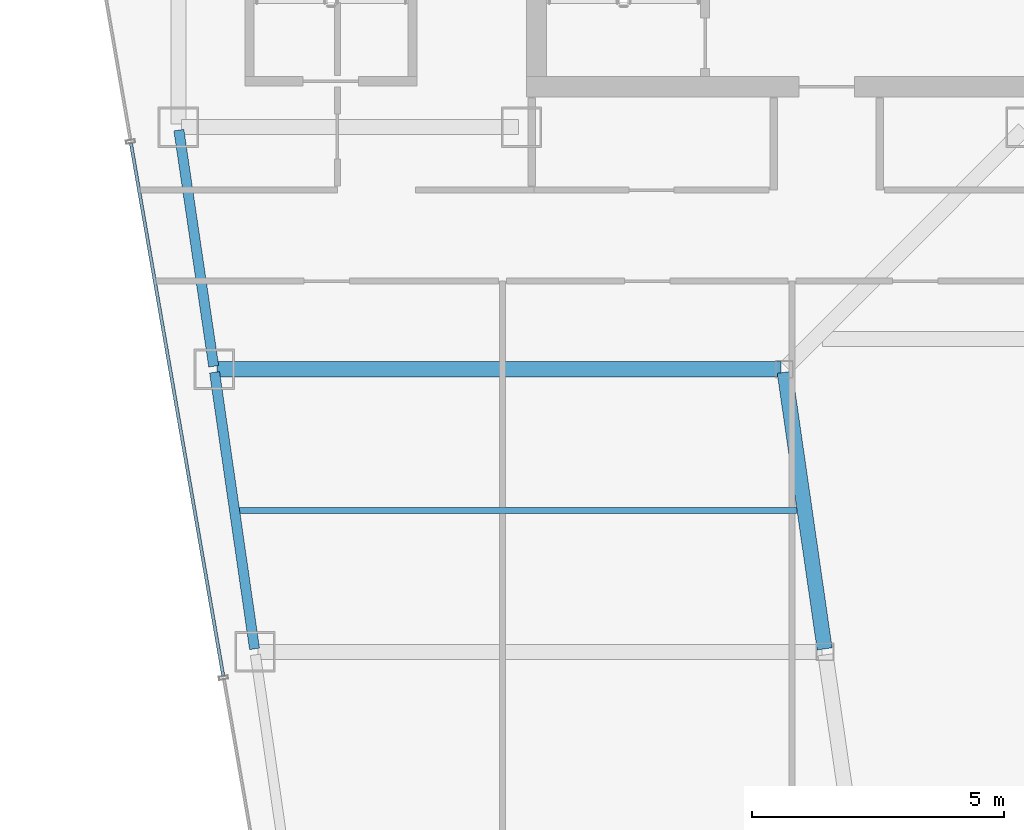
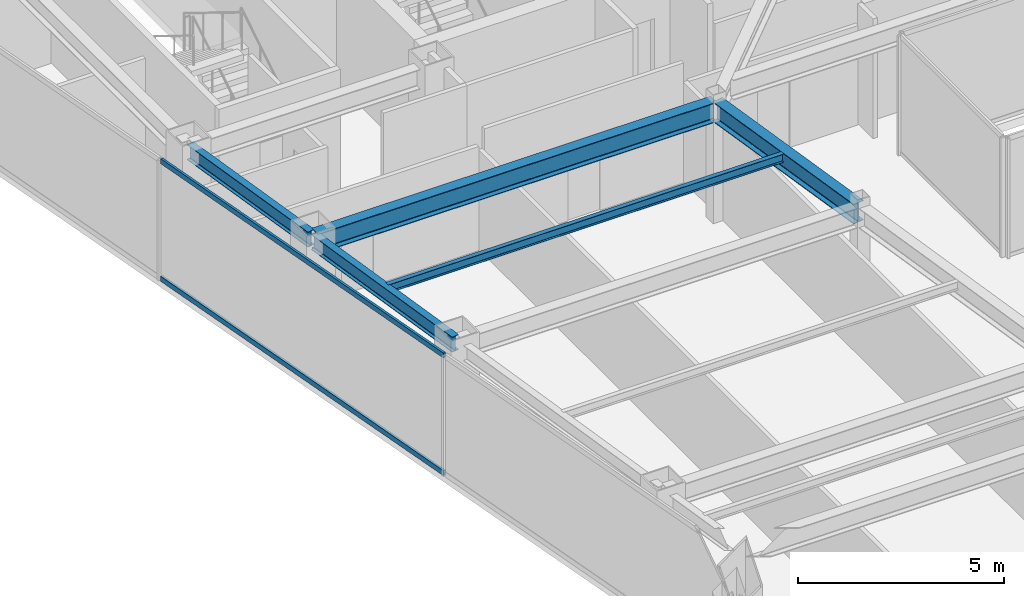
# One storey, part 7 of 32: 5 beams, 2 members, 1 element without a shape of its own.
"""IFC4 building model written with IfcOpenShell, lengths in metres."""

from ifc_helpers import new_model, si_unit, direction, frame, origin, origin_2d, place, context, subcontext, project, spatial, hollow_rectangle, i_section, extrude, material, material_profile, profile_set, type_object, element, aggregate, save


model = new_model("IFC4")

# Units and contexts
model_context = context("Model", 3, precision=1e-05, world=origin(), true_north=direction((0.0, 1.0)))
body_context = subcontext(model_context, "Body", "Model", "MODEL_VIEW")
ifc_project = project(units=[si_unit("LENGTHUNIT", "METRE"), si_unit("AREAUNIT", "SQUARE_METRE"), si_unit("VOLUMEUNIT", "CUBIC_METRE"), si_unit("PLANEANGLEUNIT", "RADIAN"), si_unit("MASSUNIT", "GRAM", prefix="KILO")], contexts=[model_context])

# Site, building, storey
site_placement = place(None, origin())
site = spatial("IfcSite", under=ifc_project, at=site_placement, CompositionType="ELEMENT")
building_placement = place(site_placement, origin())
building = spatial("IfcBuilding", under=site, at=building_placement, Name="Saevonmaru Cultural Tower", CompositionType="ELEMENT")
storey_placement = place(building_placement, frame((0.0, 0.0, 242.0)))
storey = spatial("IfcBuildingStorey", under=building, at=storey_placement, Name="L56", CompositionType="ELEMENT", Elevation=242.0)

# Beams
ifc_material_1 = material(Name="Steel SM355", Category="steel")
ifc_material_profile_1 = material_profile(ifc_material_1, i_section(OverallWidth=0.300048828125, OverallDepth=0.587890625, WebThickness=0.011962890625, FlangeThickness=0.02001953125, FilletRadius=0.02392578125, at=origin_2d()), Name="H-588x300x12x20")
ifc_profile_set_1 = profile_set([ifc_material_profile_1], Name="Steel SM355")
beam_type_1 = type_object("IfcBeamType", Name="BM-G-H588", PredefinedType="BEAM", material=ifc_profile_set_1)
beam_1_placement = place(storey_placement, frame((19.6083984375, 32.059326171875, 3.256103515625), z_axis=(-0.142964121327, 0.989727871697, 0.0), x_axis=(-0.989727871697, -0.142964121327, 0.0)))
element("IfcBeam", 1, at=beam_1_placement, inside=storey, type_object=beam_type_1, Name="L56 West Atrium Girder 3", PredefinedType="BEAM", context=body_context, shape_type="SweptSolid", body=[
    extrude(i_section(OverallWidth=0.300048828125, OverallDepth=0.587890625, WebThickness=0.011962890625, FlangeThickness=0.02001953125, FilletRadius=0.02392578125, at=origin_2d()), origin(), (0.0, 0.0, 1.0), 5.5380859375),
])
beam_2_placement = place(storey_placement, frame((7.568115234375, 37.60009765625, 3.256103515625), z_axis=(1.0, 0.0, 0.0), x_axis=(0.0, 1.0, 0.0)))
element("IfcBeam", 2, at=beam_2_placement, inside=storey, type_object=beam_type_1, Name="L56 West Wing Transverse Girder 4", PredefinedType="BEAM", context=body_context, shape_type="SweptSolid", body=[
    extrude(i_section(OverallWidth=0.300048828125, OverallDepth=0.587890625, WebThickness=0.011962890625, FlangeThickness=0.02001953125, FilletRadius=0.02392578125, at=origin_2d()), origin(), (0.0, 0.0, 1.0), 11.179931640625),
])
ifc_material_profile_2 = material_profile(ifc_material_1, i_section(OverallWidth=0.125, OverallDepth=0.25, WebThickness=0.006103515625, FlangeThickness=0.009033203125, FilletRadius=0.008056640625, at=origin_2d()), Name="H-250x125x6x9")
ifc_profile_set_2 = profile_set([ifc_material_profile_2], Name="Steel SM355")
beam_type_2 = type_object("IfcBeamType", Name="BM-J-H250", PredefinedType="JOIST", material=ifc_profile_set_2)
beam_3_placement = place(storey_placement, frame((7.972412109375, 34.800048828125, 3.425048828125), z_axis=(1.0, 0.0, 0.0), x_axis=(0.0, 1.0, 0.0)))
element("IfcBeam", 3, at=beam_3_placement, inside=storey, type_object=beam_type_2, Name="L56 West Wing Floor Joist 3", PredefinedType="JOIST", context=body_context, shape_type="SweptSolid", body=[
    extrude(i_section(OverallWidth=0.125, OverallDepth=0.25, WebThickness=0.006103515625, FlangeThickness=0.009033203125, FilletRadius=0.008056640625, at=origin_2d()), origin(), (0.0, 0.0, 1.0), 11.08203125),
])
ifc_material_profile_3 = material_profile(ifc_material_1, i_section(OverallWidth=0.199951171875, OverallDepth=0.449951171875, WebThickness=0.009033203125, FlangeThickness=0.013916015625, FilletRadius=0.01806640625, at=origin_2d()), Name="H-450x200x9x14")
ifc_profile_set_3 = profile_set([ifc_material_profile_3], Name="Steel SM355")
beam_type_3 = type_object("IfcBeamType", Name="BM-SP-H450", PredefinedType="SPANDREL", material=ifc_profile_set_3)
beam_4_placement = place(storey_placement, frame((8.308349609375, 32.059326171875, 3.324951171875), z_axis=(-0.142964121327, 0.989727871697, 0.0), x_axis=(-0.989727871697, -0.142964121327, 0.0)))
element("IfcBeam", 4, at=beam_4_placement, inside=storey, type_object=beam_type_3, Name="L56 West Splayed Spandrel 3", PredefinedType="SPANDREL", context=body_context, shape_type="SweptSolid", body=[
    extrude(i_section(OverallWidth=0.199951171875, OverallDepth=0.449951171875, WebThickness=0.009033203125, FlangeThickness=0.013916015625, FilletRadius=0.01806640625, at=origin_2d()), origin(), (0.0, 0.0, 1.0), 5.5380859375),
])
beam_5_placement = place(storey_placement, frame((7.499267578125, 37.659423828125, 3.324951171875), z_axis=(-0.145912860028, 0.989297446312, 0.0), x_axis=(-0.989297446312, -0.145912860028, 0.0)))
element("IfcBeam", 5, at=beam_5_placement, inside=storey, type_object=beam_type_3, Name="L56 West Splayed Spandrel 4", PredefinedType="SPANDREL", context=body_context, shape_type="SweptSolid", body=[
    extrude(i_section(OverallWidth=0.199951171875, OverallDepth=0.449951171875, WebThickness=0.009033203125, FlangeThickness=0.013916015625, FilletRadius=0.01806640625, at=origin_2d()), origin(), (0.0, 0.0, 1.0), 4.731689453125),
])

# Curtain wall, members
ifc_material_2 = material(Name="Satin Bronze Anodised Aluminium", Category="aluminium")
curtain_wall_type = type_object("IfcCurtainWallType", Name="CW-TYP-B", PredefinedType="NOTDEFINED", material=ifc_material_2)
curtain_wall_placement = place(storey_placement, origin())
curtain_wall = element("IfcCurtainWall", 6, at=curtain_wall_placement, inside=storey, type_object=curtain_wall_type, Name="L56 Unitised Curtain Wall E12", PredefinedType="NOTDEFINED")
ifc_material_profile_4 = material_profile(ifc_material_2, hollow_rectangle(XDim=0.06494140625, YDim=0.14990234375, WallThickness=0.00390625, at=origin_2d()), Name="ALU-TRAN-150x65x4")
ifc_profile_set_4 = profile_set([ifc_material_profile_4], Name="Satin Bronze Anodised Aluminium")
member_type = type_object("IfcMemberType", Name="TR-CW-150x65", PredefinedType="USERDEFINED", material=ifc_profile_set_4)
member_1_placement = place(storey_placement, frame((5.85791015625, 42.08154296875, 0.032470703125), z_axis=(0.170795272137, -0.985306538604, 0.0), x_axis=(0.985306538604, 0.170795272137, 0.0)))
member_1 = element("IfcMember", 7, at=member_1_placement, type_object=member_type, Name="CW-TW-L56-E12 transom 2.1", ObjectType="TRANSOM", PredefinedType="USERDEFINED", context=body_context, shape_type="SweptSolid", body=[
    extrude(hollow_rectangle(XDim=0.06494140625, YDim=0.14990234375, WallThickness=0.00390625, at=origin_2d()), origin(), (0.0, 0.0, 1.0), 10.720703125),
])
member_2_placement = place(storey_placement, frame((5.85791015625, 42.08154296875, 3.517578125), z_axis=(0.170795272137, -0.985306538604, 0.0), x_axis=(0.985306538604, 0.170795272137, 0.0)))
member_2 = element("IfcMember", 8, at=member_2_placement, type_object=member_type, Name="CW-TW-L56-E12 transom 2.2", ObjectType="TRANSOM", PredefinedType="USERDEFINED", context=body_context, shape_type="SweptSolid", body=[
    extrude(hollow_rectangle(XDim=0.06494140625, YDim=0.14990234375, WallThickness=0.00390625, at=origin_2d()), origin(), (0.0, 0.0, 1.0), 10.720703125),
])
aggregate(curtain_wall, [member_1, member_2])

save(model, "model.ifc")
